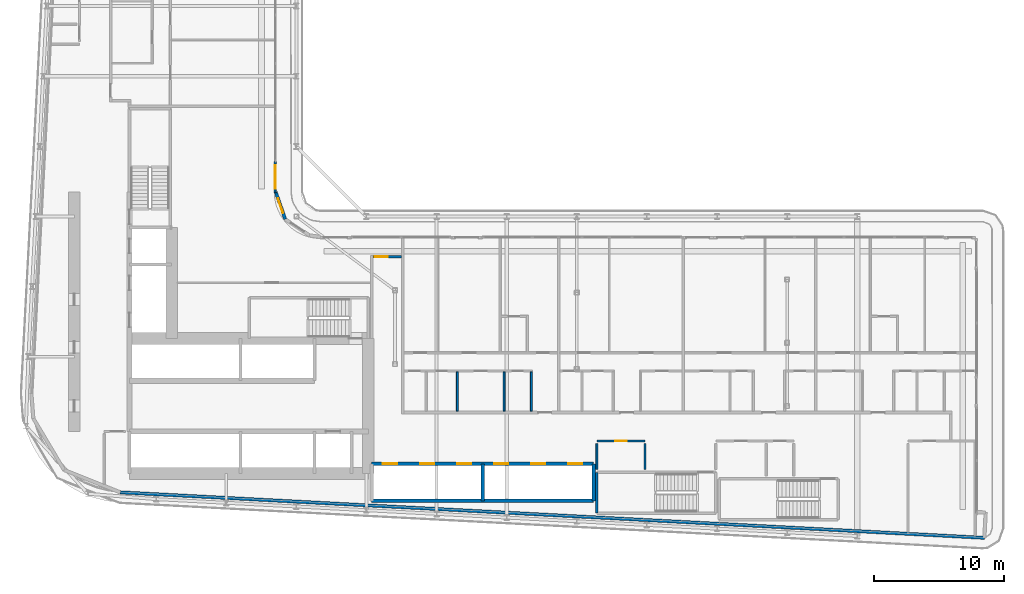
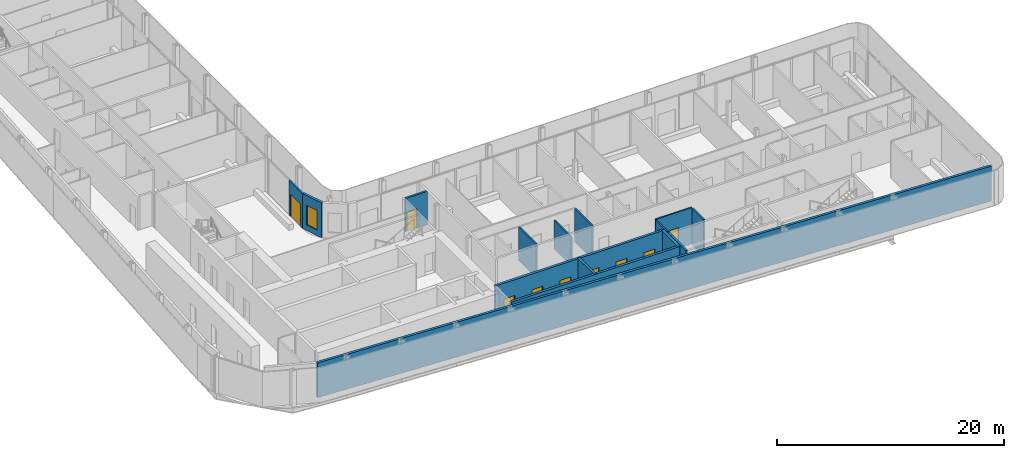
# One storey, part 14 of 27: 15 walls, 9 doors, 1 window, 10 openings.
"""IFC4 building model written with IfcOpenShell, lengths in metres."""

from ifc_helpers import new_model, si_unit, direction, frame, frame_2d, origin, place, context, subcontext, project, spatial, rectangle, extrude, source, transform, mapped, material, layer, layer_set, type_object, element, fill, save


model = new_model("IFC4")

# Units and contexts
model_context = context("Model", 3, precision=1e-05, world=origin(), true_north=direction((0.0, 1.0)))
body_context = subcontext(model_context, "Body", "Model", "MODEL_VIEW")
ifc_project = project(units=[si_unit("LENGTHUNIT", "METRE"), si_unit("AREAUNIT", "SQUARE_METRE"), si_unit("VOLUMEUNIT", "CUBIC_METRE"), si_unit("PLANEANGLEUNIT", "RADIAN"), si_unit("MASSUNIT", "GRAM", prefix="KILO")], contexts=[model_context])

# Site, building, storey
site_placement = place(None, origin())
site = spatial("IfcSite", under=ifc_project, at=site_placement, CompositionType="ELEMENT")
building_placement = place(site_placement, origin())
building = spatial("IfcBuilding", under=site, at=building_placement, Name="Kheshtan School and Residences Tower", CompositionType="ELEMENT")
storey_placement = place(building_placement, frame((0.0, 0.0, 101.89990234375)))
storey = spatial("IfcBuildingStorey", under=building, at=storey_placement, Name="L23", CompositionType="ELEMENT", Elevation=101.89990234375)

# Wall, opening, door
ifc_material_1 = material(Name="Gypsum board on steel studs with fire boards", Category="steel")
ifc_layer_1 = layer(ifc_material_1, 0.199951171875)
ifc_layer_set_1 = layer_set([ifc_layer_1], Name="Corridor wall 200")
wall_type_1 = type_object("IfcWallType", Name="Corridor wall 200", PredefinedType="PARTITIONING", material=ifc_layer_set_1)
wall_1_placement = place(storey_placement, frame((53.5, 42.5, 0.0), z_axis=(0.0, 0.0, 1.0), x_axis=(1.0, 0.0, 0.0)))
wall_1 = element("IfcWall", 1, at=wall_1_placement, inside=storey, type_object=wall_type_1, Name="Partition L23-028", PredefinedType="PARTITIONING", context=body_context, shape_type="SweptSolid", body=[
    extrude(rectangle(XDim=2.199951171875, YDim=0.199951171875, at=frame_2d((1.10009765625, 0.0))), origin(), (0.0, 0.0, 1.0), 3.60009765625),
])
opening_1_placement = place(wall_1_placement, frame((0.14990234375, 0.0, 0.0)))
opening_1 = element("IfcOpeningElement", 2, at=opening_1_placement, cuts=wall_1, Name="Opening D23-051", PredefinedType="OPENING", context=body_context, shape_type="SweptSolid", body=[
    extrude(rectangle(XDim=1.0, YDim=2.10009765625, at=frame_2d((0.5, 1.050048828125))), frame((0.0, 0.10986328125, 0.0), z_axis=(0.0, -1.0, 0.0), x_axis=(1.0, 0.0, 0.0)), (0.0, 0.0, 1.0), 0.219970703125),
])
ifc_material_2 = material(Name="Steel-framed fire-resisting door leaf", Category="steel")
door_type_1 = type_object("IfcDoorType", Name="Fire door FD60 1000 x 2100", OperationType="SINGLE_SWING_LEFT", PredefinedType="DOOR", material=ifc_material_2)
shared_shape_1 = source(origin(), body_context, "Body", "SweptSolid", [
    extrude(rectangle(XDim=1.0, YDim=2.10009765625, at=frame_2d((0.5, 1.050048828125))), frame((0.0, 0.02490234375, 0.0), z_axis=(0.0, -1.0, 0.0), x_axis=(1.0, 0.0, 0.0)), (0.0, 0.0, 1.0), 0.050048828125),
])
door_1_placement = place(opening_1_placement, origin())
door_1 = element("IfcDoor", 3, at=door_1_placement, inside=storey, type_object=door_type_1, Name="Door D23-051", OperationType="SINGLE_SWING_RIGHT", OverallHeight=2.10009765625, OverallWidth=1.0, PredefinedType="DOOR", context=body_context, shape_type="MappedRepresentation", body=[
    mapped(shared_shape_1, transform((0.0, 0.0, 0.0), x_axis=(1.0, 0.0, 0.0), y_axis=(0.0, 1.0, 0.0), z_axis=(0.0, 0.0, 1.0), scale=1.0)),
])
fill(opening_1, door_1)

# Wall, opening, window
ifc_material_3 = material(Name="Concrete C40/50 with ceramic cladding and mineral wool insulation", Category="concrete")
ifc_layer_2 = layer(ifc_material_3, 0.25)
ifc_layer_set_2 = layer_set([ifc_layer_2], Name="External wall 250 ceramic clad")
wall_type_2 = type_object("IfcWallType", Name="External wall 250 ceramic clad", PredefinedType="SOLIDWALL", material=ifc_layer_set_2)
wall_2_placement = place(storey_placement, frame((46.01806640625, 47.470947265625, 0.0), z_axis=(0.0, 0.0, 1.0), x_axis=(0.328791208903, -0.944402637093, 0.0)))
wall_2 = element("IfcWall", 4, at=wall_2_placement, inside=storey, type_object=wall_type_2, Name="External wall L23 5", PredefinedType="SOLIDWALL", context=body_context, shape_type="SweptSolid", body=[
    extrude(rectangle(XDim=2.20458984375, YDim=0.25, at=frame_2d((1.102294921875, 0.0))), origin(), (0.0, 0.0, 1.0), 3.75),
])
opening_2_placement = place(wall_2_placement, frame((0.5029296875, 0.0, 0.60009765625)))
opening_2 = element("IfcOpeningElement", 5, at=opening_2_placement, cuts=wall_2, Name="Opening WN-E", PredefinedType="OPENING", context=body_context, shape_type="SweptSolid", body=[
    extrude(rectangle(XDim=1.199951171875, YDim=2.10009765625, at=frame_2d((0.60009765625, 1.050048828125))), frame((0.0, 0.135009765625, 0.0), z_axis=(0.0, -1.0, 0.0), x_axis=(1.0, 0.0, 0.0)), (0.0, 0.0, 1.0), 0.27001953125),
])
ifc_material_4 = material(Name="Clear low-e glass in thermally broken aluminium frame", Category="aluminium")
window_type = type_object("IfcWindowType", Name="Window WN-E", PartitioningType="SINGLE_PANEL", PredefinedType="WINDOW", material=ifc_material_4)
shared_shape_2 = source(origin(), body_context, "Body", "SweptSolid", [
    extrude(rectangle(XDim=1.199951171875, YDim=2.10009765625, at=frame_2d((0.60009765625, 1.050048828125))), frame((0.0, 0.030029296875, 0.0), z_axis=(0.0, -1.0, 0.0), x_axis=(1.0, 0.0, 0.0)), (0.0, 0.0, 1.0), 0.06005859375),
])
window_placement = place(opening_2_placement, origin())
window = element("IfcWindow", 6, at=window_placement, inside=storey, type_object=window_type, Name="Window L23 5", OverallHeight=2.10009765625, OverallWidth=1.199951171875, PartitioningType="SINGLE_PANEL", PredefinedType="WINDOW", context=body_context, shape_type="MappedRepresentation", body=[
    mapped(shared_shape_2, transform((0.0, 0.0, 0.0), x_axis=(1.0, 0.0, 0.0), y_axis=(0.0, 1.0, 0.0), z_axis=(0.0, 0.0, 1.0), scale=1.0)),
])
fill(opening_2, window)

# Wall
wall_3_placement = place(storey_placement, frame((100.5859375, 20.85009765625, 0.0), z_axis=(0.0, 0.0, 1.0), x_axis=(-0.99861746497, 0.052565755559, 0.0)))
element("IfcWall", 7, at=wall_3_placement, inside=storey, type_object=wall_type_2, Name="External wall L23 12", PredefinedType="SOLIDWALL", context=body_context, shape_type="SweptSolid", body=[
    extrude(rectangle(XDim=66.638916015625, YDim=0.25, at=frame_2d((33.3193359375, 0.0))), origin(), (0.0, 0.0, 1.0), 3.75),
])

# Wall, opening, door
ifc_material_5 = material(Name="Aluminium frame wall with insulated infill", Category="aluminium")
ifc_layer_3 = layer(ifc_material_5, 0.14990234375)
ifc_layer_set_3 = layer_set([ifc_layer_3], Name="Glazing frame wall 150")
wall_type_3 = type_object("IfcWallType", Name="Glazing frame wall 150", PredefinedType="SOLIDWALL", material=ifc_layer_set_3)
wall_4_placement = place(storey_placement, frame((45.97509765625, 49.830078125, 0.0), z_axis=(0.0, 0.0, 1.0), x_axis=(0.0, -1.0, 0.0)))
wall_4 = element("IfcWall", 8, at=wall_4_placement, inside=storey, type_object=wall_type_3, Name="Balcony door wall L23 4.4", PredefinedType="SOLIDWALL", context=body_context, shape_type="SweptSolid", body=[
    extrude(rectangle(XDim=2.400146484375, YDim=0.14990234375, at=frame_2d((1.2001953125, 0.0))), origin(), (0.0, 0.0, 1.0), 3.75),
])
opening_3_placement = place(wall_4_placement, frame((0.300048828125, 0.0, 0.0)))
opening_3 = element("IfcOpeningElement", 9, at=opening_3_placement, cuts=wall_4, Name="Opening BD", PredefinedType="OPENING", context=body_context, shape_type="SweptSolid", body=[
    extrude(rectangle(XDim=1.800048828125, YDim=2.39990234375, at=frame_2d((0.89990234375, 1.199951171875))), frame((0.0, 0.0849609375, 0.0), z_axis=(0.0, -1.0, 0.0), x_axis=(1.0, 0.0, 0.0)), (0.0, 0.0, 1.0), 0.169921875),
])
door_type_2 = type_object("IfcDoorType", Name="Balcony sliding door", OperationType="SLIDING_TO_LEFT", PredefinedType="DOOR", material=ifc_material_4)
shared_shape_3 = source(origin(), body_context, "Body", "SweptSolid", [
    extrude(rectangle(XDim=1.800048828125, YDim=2.39990234375, at=frame_2d((0.89990234375, 1.199951171875))), frame((0.0, 0.02490234375, 0.0), z_axis=(0.0, -1.0, 0.0), x_axis=(1.0, 0.0, 0.0)), (0.0, 0.0, 1.0), 0.050048828125),
])
door_2_placement = place(opening_3_placement, origin())
door_2 = element("IfcDoor", 10, at=door_2_placement, inside=storey, type_object=door_type_2, Name="Balcony door L23 4.4", OperationType="SLIDING_TO_LEFT", OverallHeight=2.39990234375, OverallWidth=1.800048828125, PredefinedType="DOOR", context=body_context, shape_type="MappedRepresentation", body=[
    mapped(shared_shape_3, transform((0.0, 0.0, 0.0), x_axis=(1.0, 0.0, 0.0), y_axis=(0.0, 1.0, 0.0), z_axis=(0.0, 0.0, 1.0), scale=1.0)),
])
fill(opening_3, door_2)

ifc_material_6 = material(Name="Fire-board shaft wall system")
ifc_layer_4 = layer(ifc_material_6, 0.14990234375)
ifc_layer_set_4 = layer_set([ifc_layer_4], Name="Service room wall 150")
wall_type_4 = type_object("IfcWallType", Name="Service room wall 150", PredefinedType="PARTITIONING", material=ifc_layer_set_4)
wall_5_placement = place(storey_placement, frame((70.75, 28.300048828125, 0.0), z_axis=(0.0, 0.0, 1.0), x_axis=(1.0, 0.0, 0.0)))
wall_5 = element("IfcWall", 11, at=wall_5_placement, inside=storey, type_object=wall_type_4, Name="Service room wall", PredefinedType="PARTITIONING", context=body_context, shape_type="SweptSolid", body=[
    extrude(rectangle(XDim=3.7041015625, YDim=0.14990234375, at=frame_2d((1.85205078125, 0.0))), origin(), (0.0, 0.0, 1.0), 3.900146484375),
])
opening_4_placement = place(wall_5_placement, frame((1.402099609375, 0.0, 0.0)))
opening_4 = element("IfcOpeningElement", 12, at=opening_4_placement, cuts=wall_5, Name="Opening SR90", PredefinedType="OPENING", context=body_context, shape_type="SweptSolid", body=[
    extrude(rectangle(XDim=0.89990234375, YDim=2.199951171875, at=frame_2d((0.449951171875, 1.10009765625))), frame((0.0, 0.0849609375, 0.0), z_axis=(0.0, -1.0, 0.0), x_axis=(1.0, 0.0, 0.0)), (0.0, 0.0, 1.0), 0.169921875),
])
ifc_material_7 = material(Name="Steel door leaf, galvanised", Category="steel")
door_type_3 = type_object("IfcDoorType", Name="Service room door 900 steel 90 min", OperationType="SINGLE_SWING_LEFT", PredefinedType="DOOR", material=ifc_material_7)
shared_shape_4 = source(origin(), body_context, "Body", "SweptSolid", [
    extrude(rectangle(XDim=0.89990234375, YDim=2.199951171875, at=frame_2d((0.449951171875, 1.10009765625))), frame((0.0, 0.02490234375, 0.0), z_axis=(0.0, -1.0, 0.0), x_axis=(1.0, 0.0, 0.0)), (0.0, 0.0, 1.0), 0.050048828125),
])
door_3_placement = place(opening_4_placement, origin())
door_3 = element("IfcDoor", 13, at=door_3_placement, inside=storey, type_object=door_type_3, Name="Service room door", OperationType="SINGLE_SWING_LEFT", OverallHeight=2.199951171875, OverallWidth=0.89990234375, PredefinedType="DOOR", context=body_context, shape_type="MappedRepresentation", body=[
    mapped(shared_shape_4, transform((0.0, 0.0, 0.0), x_axis=(1.0, 0.0, 0.0), y_axis=(0.0, 1.0, 0.0), z_axis=(0.0, 0.0, 1.0), scale=1.0)),
])
fill(opening_4, door_3)

# Walls
for number, where, z_axis, x_axis, name in (
    (14, (70.75, 26.1201171875, 0.0), (0.0, 0.0, 1.0), (0.0, 1.0, 0.0), "Service room wall"),
    (15, (74.4541015625, 26.1201171875, 0.0), (0.0, 0.0, 1.0), (0.0, 1.0, 0.0), "Service room wall"),
):
    element("IfcWall", number, at=place(storey_placement, frame(where, z_axis=z_axis, x_axis=x_axis)), inside=storey, type_object=wall_type_4, Name=name, PredefinedType="PARTITIONING", context=body_context, shape_type="SweptSolid", body=[
        extrude(rectangle(XDim=1.98486328125, YDim=0.14990234375, at=frame_2d((0.992431640625, 0.0))), origin(), (0.0, 0.0, 1.0), 3.900146484375),
    ])
ifc_layer_5 = layer(ifc_material_6, 0.25)
ifc_layer_set_5 = layer_set([ifc_layer_5], Name="Shaft lining wall 250")
wall_type_5 = type_object("IfcWallType", Name="Shaft lining wall 250", PredefinedType="PARTITIONING", material=ifc_layer_set_5)
for number, where, z_axis, x_axis, name in (
    (16, (61.949951171875, 23.699951171875, 0.0), (0.0, 0.0, 1.0), (0.0, 1.0, 0.0), "Shaft lining wall"),
    (17, (70.5, 23.699951171875, 0.0), (0.0, 0.0, 1.0), (0.0, 1.0, 0.0), "Shaft lining wall"),
):
    element("IfcWall", number, at=place(storey_placement, frame(where, z_axis=z_axis, x_axis=x_axis)), inside=storey, type_object=wall_type_5, Name=name, PredefinedType="PARTITIONING", context=body_context, shape_type="SweptSolid", body=[
        extrude(rectangle(XDim=2.85009765625, YDim=0.25, at=frame_2d((1.425048828125, 0.0))), origin(), (0.0, 0.0, 1.0), 3.900146484375),
    ])
wall_6_placement = place(storey_placement, frame((53.39990234375, 23.699951171875, 0.0), z_axis=(0.0, 0.0, 1.0), x_axis=(1.0, 0.0, 0.0)))
element("IfcWall", 18, at=wall_6_placement, inside=storey, type_object=wall_type_5, Name="Shaft lining wall", PredefinedType="PARTITIONING", context=body_context, shape_type="SweptSolid", body=[
    extrude(rectangle(XDim=17.10009765625, YDim=0.25, at=frame_2d((8.550048828125, 0.0))), origin(), (0.0, 0.0, 1.0), 3.900146484375),
])

# Wall, openings, doors
wall_7_placement = place(storey_placement, frame((53.39990234375, 26.550048828125, 0.0), z_axis=(0.0, 0.0, 1.0), x_axis=(1.0, 0.0, 0.0)))
wall_7 = element("IfcWall", 19, at=wall_7_placement, inside=storey, type_object=wall_type_5, Name="Shaft lining wall", PredefinedType="PARTITIONING", context=body_context, shape_type="SweptSolid", body=[
    extrude(rectangle(XDim=17.10009765625, YDim=0.25, at=frame_2d((8.550048828125, 0.0))), origin(), (0.0, 0.0, 1.0), 3.900146484375),
])
opening_5_placement = place(wall_7_placement, frame((0.875, 0.0, 0.0)))
opening_5 = element("IfcOpeningElement", 20, at=opening_5_placement, cuts=wall_7, Name="Opening LD", PredefinedType="OPENING", context=body_context, shape_type="SweptSolid", body=[
    extrude(rectangle(XDim=1.10009765625, YDim=2.199951171875, at=frame_2d((0.550048828125, 1.10009765625))), frame((0.0, 0.135009765625, 0.0), z_axis=(0.0, -1.0, 0.0), x_axis=(1.0, 0.0, 0.0)), (0.0, 0.0, 1.0), 0.27001953125),
])
opening_6_placement = place(wall_7_placement, frame((3.72509765625, 0.0, 0.0)))
opening_6 = element("IfcOpeningElement", 21, at=opening_6_placement, cuts=wall_7, Name="Opening LD", PredefinedType="OPENING", context=body_context, shape_type="SweptSolid", body=[
    extrude(rectangle(XDim=1.10009765625, YDim=2.199951171875, at=frame_2d((0.550048828125, 1.10009765625))), frame((0.0, 0.135009765625, 0.0), z_axis=(0.0, -1.0, 0.0), x_axis=(1.0, 0.0, 0.0)), (0.0, 0.0, 1.0), 0.27001953125),
])
opening_7_placement = place(wall_7_placement, frame((6.574951171875, 0.0, 0.0)))
opening_7 = element("IfcOpeningElement", 22, at=opening_7_placement, cuts=wall_7, Name="Opening LD", PredefinedType="OPENING", context=body_context, shape_type="SweptSolid", body=[
    extrude(rectangle(XDim=1.10009765625, YDim=2.199951171875, at=frame_2d((0.550048828125, 1.10009765625))), frame((0.0, 0.135009765625, 0.0), z_axis=(0.0, -1.0, 0.0), x_axis=(1.0, 0.0, 0.0)), (0.0, 0.0, 1.0), 0.27001953125),
])
opening_8_placement = place(wall_7_placement, frame((9.425048828125, 0.0, 0.0)))
opening_8 = element("IfcOpeningElement", 23, at=opening_8_placement, cuts=wall_7, Name="Opening LD", PredefinedType="OPENING", context=body_context, shape_type="SweptSolid", body=[
    extrude(rectangle(XDim=1.10009765625, YDim=2.199951171875, at=frame_2d((0.550048828125, 1.10009765625))), frame((0.0, 0.135009765625, 0.0), z_axis=(0.0, -1.0, 0.0), x_axis=(1.0, 0.0, 0.0)), (0.0, 0.0, 1.0), 0.27001953125),
])
opening_9_placement = place(wall_7_placement, frame((12.27490234375, 0.0, 0.0)))
opening_9 = element("IfcOpeningElement", 24, at=opening_9_placement, cuts=wall_7, Name="Opening LD", PredefinedType="OPENING", context=body_context, shape_type="SweptSolid", body=[
    extrude(rectangle(XDim=1.10009765625, YDim=2.199951171875, at=frame_2d((0.550048828125, 1.10009765625))), frame((0.0, 0.135009765625, 0.0), z_axis=(0.0, -1.0, 0.0), x_axis=(1.0, 0.0, 0.0)), (0.0, 0.0, 1.0), 0.27001953125),
])
opening_10_placement = place(wall_7_placement, frame((15.125, 0.0, 0.0)))
opening_10 = element("IfcOpeningElement", 25, at=opening_10_placement, cuts=wall_7, Name="Opening LD", PredefinedType="OPENING", context=body_context, shape_type="SweptSolid", body=[
    extrude(rectangle(XDim=1.10009765625, YDim=2.199951171875, at=frame_2d((0.550048828125, 1.10009765625))), frame((0.0, 0.135009765625, 0.0), z_axis=(0.0, -1.0, 0.0), x_axis=(1.0, 0.0, 0.0)), (0.0, 0.0, 1.0), 0.27001953125),
])
ifc_material_8 = material(Name="Stainless steel door leaves", Category="steel")
door_type_4 = type_object("IfcDoorType", Name="Lift landing door 1100", OperationType="SLIDING_TO_LEFT", PredefinedType="DOOR", material=ifc_material_8)
shared_shape_5 = source(origin(), body_context, "Body", "SweptSolid", [
    extrude(rectangle(XDim=1.10009765625, YDim=2.199951171875, at=frame_2d((0.550048828125, 1.10009765625))), frame((0.0, 0.02490234375, 0.0), z_axis=(0.0, -1.0, 0.0), x_axis=(1.0, 0.0, 0.0)), (0.0, 0.0, 1.0), 0.050048828125),
])
door_4_placement = place(opening_5_placement, origin())
door_4 = element("IfcDoor", 26, at=door_4_placement, inside=storey, type_object=door_type_4, Name="Lift P1 landing door", OperationType="SLIDING_TO_LEFT", OverallHeight=2.199951171875, OverallWidth=1.10009765625, PredefinedType="DOOR", context=body_context, shape_type="MappedRepresentation", body=[
    mapped(shared_shape_5, transform((0.0, 0.0, 0.0), x_axis=(1.0, 0.0, 0.0), y_axis=(0.0, 1.0, 0.0), z_axis=(0.0, 0.0, 1.0), scale=1.0)),
])
fill(opening_5, door_4)
door_5_placement = place(opening_6_placement, origin())
door_5 = element("IfcDoor", 27, at=door_5_placement, inside=storey, type_object=door_type_4, Name="Lift P2 landing door", OperationType="SLIDING_TO_LEFT", OverallHeight=2.199951171875, OverallWidth=1.10009765625, PredefinedType="DOOR", context=body_context, shape_type="MappedRepresentation", body=[
    mapped(shared_shape_5, transform((0.0, 0.0, 0.0), x_axis=(1.0, 0.0, 0.0), y_axis=(0.0, 1.0, 0.0), z_axis=(0.0, 0.0, 1.0), scale=1.0)),
])
fill(opening_6, door_5)
door_6_placement = place(opening_7_placement, origin())
door_6 = element("IfcDoor", 28, at=door_6_placement, inside=storey, type_object=door_type_4, Name="Lift P3 landing door", OperationType="SLIDING_TO_LEFT", OverallHeight=2.199951171875, OverallWidth=1.10009765625, PredefinedType="DOOR", context=body_context, shape_type="MappedRepresentation", body=[
    mapped(shared_shape_5, transform((0.0, 0.0, 0.0), x_axis=(1.0, 0.0, 0.0), y_axis=(0.0, 1.0, 0.0), z_axis=(0.0, 0.0, 1.0), scale=1.0)),
])
fill(opening_7, door_6)
door_7_placement = place(opening_8_placement, origin())
door_7 = element("IfcDoor", 29, at=door_7_placement, inside=storey, type_object=door_type_4, Name="Lift P4 landing door", OperationType="SLIDING_TO_LEFT", OverallHeight=2.199951171875, OverallWidth=1.10009765625, PredefinedType="DOOR", context=body_context, shape_type="MappedRepresentation", body=[
    mapped(shared_shape_5, transform((0.0, 0.0, 0.0), x_axis=(1.0, 0.0, 0.0), y_axis=(0.0, 1.0, 0.0), z_axis=(0.0, 0.0, 1.0), scale=1.0)),
])
fill(opening_8, door_7)
door_8_placement = place(opening_9_placement, origin())
door_8 = element("IfcDoor", 30, at=door_8_placement, inside=storey, type_object=door_type_4, Name="Lift P5 landing door", OperationType="SLIDING_TO_LEFT", OverallHeight=2.199951171875, OverallWidth=1.10009765625, PredefinedType="DOOR", context=body_context, shape_type="MappedRepresentation", body=[
    mapped(shared_shape_5, transform((0.0, 0.0, 0.0), x_axis=(1.0, 0.0, 0.0), y_axis=(0.0, 1.0, 0.0), z_axis=(0.0, 0.0, 1.0), scale=1.0)),
])
fill(opening_9, door_8)
door_9_placement = place(opening_10_placement, origin())
door_9 = element("IfcDoor", 31, at=door_9_placement, inside=storey, type_object=door_type_4, Name="Lift P6 landing door", OperationType="SLIDING_TO_LEFT", OverallHeight=2.199951171875, OverallWidth=1.10009765625, PredefinedType="DOOR", context=body_context, shape_type="MappedRepresentation", body=[
    mapped(shared_shape_5, transform((0.0, 0.0, 0.0), x_axis=(1.0, 0.0, 0.0), y_axis=(0.0, 1.0, 0.0), z_axis=(0.0, 0.0, 1.0), scale=1.0)),
])
fill(opening_10, door_9)

# Walls
ifc_material_9 = material(Name="Concrete C40/50", Category="concrete")
ifc_layer_6 = layer(ifc_material_9, 0.199951171875)
ifc_layer_set_6 = layer_set([ifc_layer_6], Name="Stair enclosure wall 200 Concrete C40/50")
wall_type_6 = type_object("IfcWallType", Name="Stair enclosure wall 200 Concrete C40/50", PredefinedType="SHEAR", material=ifc_layer_set_6)
wall_8_placement = place(storey_placement, frame((70.75, 22.75, 0.0), z_axis=(0.0, 0.0, 1.0), x_axis=(0.0, 1.0, 0.0)))
element("IfcWall", 32, at=wall_8_placement, inside=storey, type_object=wall_type_6, Name="Stair enclosure wall ST5", PredefinedType="SHEAR", context=body_context, shape_type="SweptSolid", body=[
    extrude(rectangle(XDim=3.14990234375, YDim=0.199951171875, at=frame_2d((1.574951171875, 0.0))), origin(), (0.0, 0.0, 1.0), 3.900146484375),
])
ifc_material_10 = material(Name="Moisture-resistant gypsum board on steel studs", Category="steel")
ifc_layer_7 = layer(ifc_material_10, 0.14990234375)
ifc_layer_set_7 = layer_set([ifc_layer_7], Name="Wet-room partition 150")
wall_type_7 = type_object("IfcWallType", Name="Wet-room partition 150", PredefinedType="PARTITIONING", material=ifc_layer_set_7)
wall_9_placement = place(storey_placement, frame((60.0, 30.60009765625, 0.0), z_axis=(0.0, 0.0, 1.0), x_axis=(0.0, 1.0, 0.0)))
element("IfcWall", 33, at=wall_9_placement, inside=storey, type_object=wall_type_7, Name="Partition L23-035", PredefinedType="PARTITIONING", context=body_context, shape_type="SweptSolid", body=[
    extrude(rectangle(XDim=3.02490234375, YDim=0.14990234375, at=frame_2d((1.512451171875, 0.0))), origin(), (0.0, 0.0, 1.0), 3.60009765625),
])
wall_10_placement = place(storey_placement, frame((63.60009765625, 30.60009765625, 0.0), z_axis=(0.0, 0.0, 1.0), x_axis=(0.0, 1.0, 0.0)))
element("IfcWall", 34, at=wall_10_placement, inside=storey, type_object=wall_type_7, Name="Partition L23-038", PredefinedType="PARTITIONING", context=body_context, shape_type="SweptSolid", body=[
    extrude(rectangle(XDim=3.02490234375, YDim=0.14990234375, at=frame_2d((1.512451171875, 0.0))), origin(), (0.0, 0.0, 1.0), 3.072021484375),
])
wall_11_placement = place(storey_placement, frame((65.699951171875, 30.60009765625, 0.0), z_axis=(0.0, 0.0, 1.0), x_axis=(0.0, 1.0, 0.0)))
element("IfcWall", 35, at=wall_11_placement, inside=storey, type_object=wall_type_7, Name="Partition L23-040", PredefinedType="PARTITIONING", context=body_context, shape_type="SweptSolid", body=[
    extrude(rectangle(XDim=3.02490234375, YDim=0.14990234375, at=frame_2d((1.512451171875, 0.0))), origin(), (0.0, 0.0, 1.0), 3.60009765625),
])

save(model, "model.ifc")
